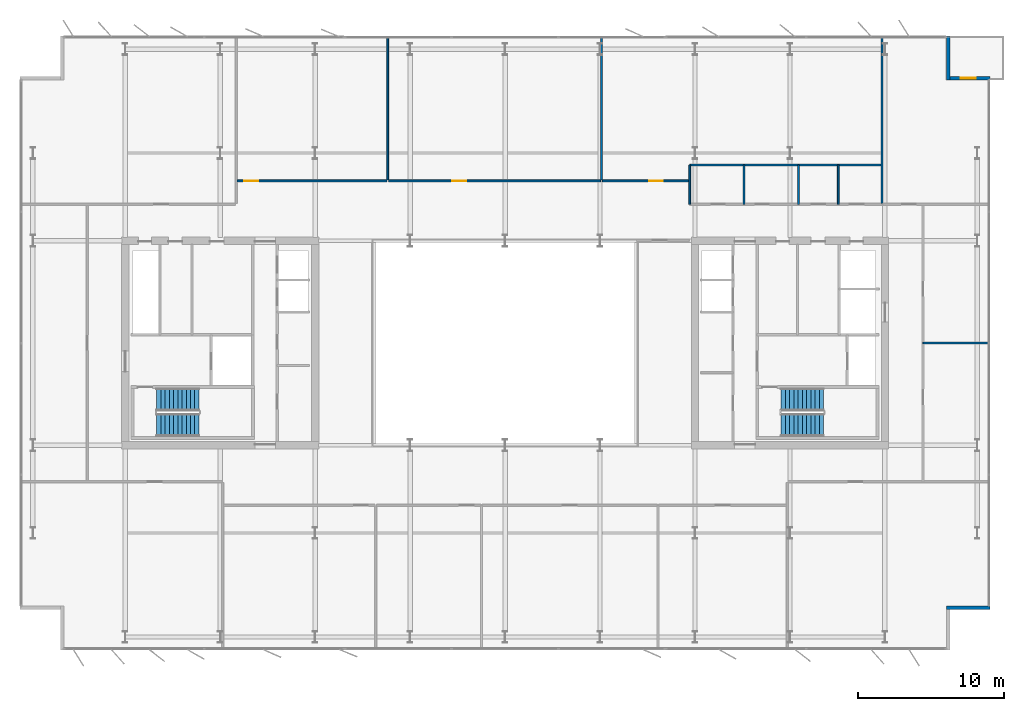
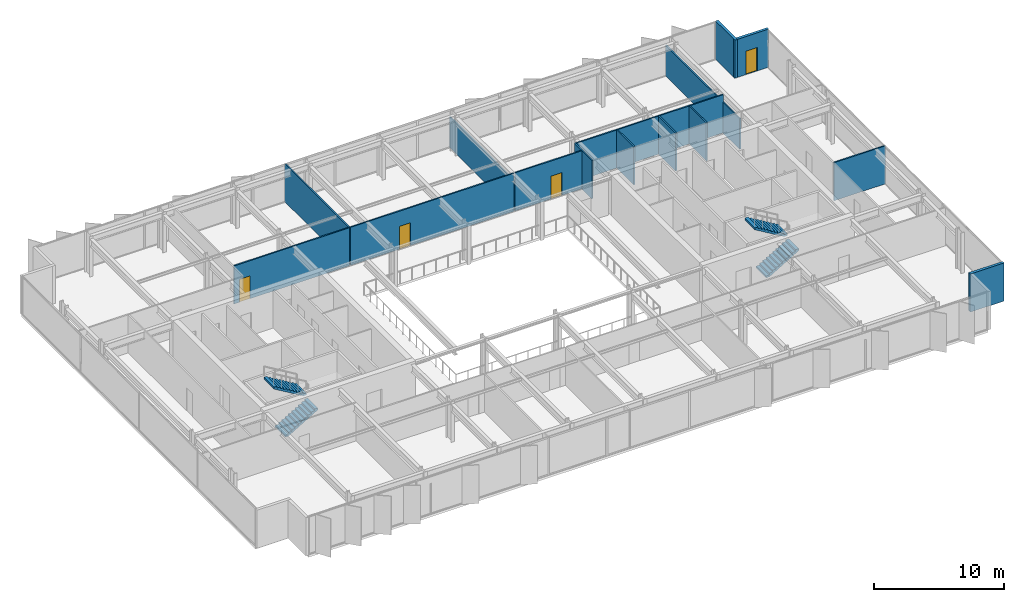
# One storey, part 19 of 23: 15 walls, 4 doors, 4 stair flights, 4 openings, 2 elements without a shape of their own.
"""IFC4 building model written with IfcOpenShell, lengths in metres."""

from ifc_helpers import new_model, si_unit, direction, frame, frame_2d, origin, place, context, subcontext, project, spatial, polyline, rectangle, outline, extrude, material, layer, layer_set, type_object, element, fill, aggregate, save


model = new_model("IFC4")

# Units and contexts
model_context = context("Model", 3, precision=1e-05, world=origin(), true_north=direction((0.0, 1.0)))
body_context = subcontext(model_context, "Body", "Model", "MODEL_VIEW")
ifc_project = project(units=[si_unit("LENGTHUNIT", "METRE"), si_unit("AREAUNIT", "SQUARE_METRE"), si_unit("VOLUMEUNIT", "CUBIC_METRE"), si_unit("PLANEANGLEUNIT", "RADIAN"), si_unit("MASSUNIT", "GRAM", prefix="KILO")], contexts=[model_context])

# Site, building, storey
site_placement = place(None, origin())
site = spatial("IfcSite", under=ifc_project, at=site_placement, CompositionType="ELEMENT")
building_placement = place(site_placement, origin())
building = spatial("IfcBuilding", under=site, at=building_placement, Name="Putna Gate Headquarters", CompositionType="ELEMENT")
storey_placement = place(building_placement, frame((0.0, 0.0, 206.199951171875)))
storey = spatial("IfcBuildingStorey", under=building, at=storey_placement, Name="L51", CompositionType="ELEMENT", Elevation=206.199951171875)

# Wall
ifc_material_1 = material(Name="Precast concrete C40/50", Category="concrete")
ifc_layer_1 = layer(ifc_material_1, 0.239990234375)
ifc_layer_set_1 = layer_set([ifc_layer_1], Name="Precast concrete C40/50")
wall_type_1 = type_object("IfcWallType", Name="WALL-EXT-TERR-240", PredefinedType="STANDARD", material=ifc_layer_set_1)
wall_1_placement = place(storey_placement, frame((69.320068359375, 47.0, 0.0), z_axis=(0.0, 0.0, 1.0), x_axis=(0.0, -1.0, 0.0)))
element("IfcWall", 1, at=wall_1_placement, inside=storey, type_object=wall_type_1, Name="L51 Corner Notch Return Wall NE-V", PredefinedType="STANDARD", context=body_context, shape_type="SweptSolid", body=[
    extrude(rectangle(XDim=3.0, YDim=0.239990234375, at=frame_2d((1.5, 0.0))), origin(), (0.0, 0.0, 1.0), 3.580078125),
])

# Wall, opening, door
wall_2_placement = place(storey_placement, frame((69.199951171875, 44.1201171875, 0.0), z_axis=(0.0, 0.0, 1.0), x_axis=(1.0, 0.0, 0.0)))
wall_2 = element("IfcWall", 2, at=wall_2_placement, inside=storey, type_object=wall_type_1, Name="L51 Corner Notch Return Wall NE-H", PredefinedType="STANDARD", context=body_context, shape_type="SweptSolid", body=[
    extrude(rectangle(XDim=3.0, YDim=0.239990234375, at=frame_2d((1.5, 0.0))), origin(), (0.0, 0.0, 1.0), 3.580078125),
])
opening_1_placement = place(wall_2_placement, frame((1.0, 0.0, 0.0)))
opening_1 = element("IfcOpeningElement", 3, at=opening_1_placement, cuts=wall_2, Name="Opening TRD-1", PredefinedType="OPENING", context=body_context, shape_type="SweptSolid", body=[
    extrude(rectangle(XDim=1.0, YDim=2.199951171875, at=frame_2d((0.5, 1.10009765625))), frame((0.0, 0.1298828125, 0.0), z_axis=(0.0, -1.0, 0.0), x_axis=(1.0, 0.0, 0.0)), (0.0, 0.0, 1.0), 0.260009765625),
])
ifc_material_2 = material(Name="Thermally broken bronze glazed terrace door")
door_type_1 = type_object("IfcDoorType", Name="DOOR-TERR-EXT-1000", OperationType="NOTDEFINED", PredefinedType="DOOR", material=ifc_material_2)
door_1_placement = place(opening_1_placement, origin())
door_1 = element("IfcDoor", 4, at=door_1_placement, inside=storey, type_object=door_type_1, Name="L51 Spiral Sky Terrace Door NE", OperationType="SINGLE_SWING_LEFT", OverallHeight=2.199951171875, OverallWidth=1.0, PredefinedType="DOOR", context=body_context, shape_type="SweptSolid", body=[
    extrude(rectangle(XDim=1.0, YDim=2.199951171875, at=frame_2d((0.5, 1.10009765625))), frame((0.0, 0.02490234375, 0.0), z_axis=(0.0, -1.0, 0.0), x_axis=(1.0, 0.0, 0.0)), (0.0, 0.0, 1.0), 0.050048828125),
])
fill(opening_1, door_1)

# Walls
wall_3_placement = place(storey_placement, frame((72.199951171875, 7.8798828125, 0.0), z_axis=(0.0, 0.0, 1.0), x_axis=(-1.0, 0.0, 0.0)))
element("IfcWall", 5, at=wall_3_placement, inside=storey, type_object=wall_type_1, Name="L51 Corner Notch Return Wall SE-H", PredefinedType="STANDARD", context=body_context, shape_type="SweptSolid", body=[
    extrude(rectangle(XDim=3.0, YDim=0.239990234375, at=frame_2d((1.5, 0.0))), origin(), (0.0, 0.0, 1.0), 3.580078125),
])
ifc_material_3 = material(Name="Acoustic gypsum board on metal stud")
ifc_layer_2 = layer(ifc_material_3, 0.1201171875)
ifc_layer_set_2 = layer_set([ifc_layer_2], Name="Acoustic gypsum board on metal stud")
wall_type_2 = type_object("IfcWallType", Name="WALL-PART-120", PredefinedType="PARTITIONING", material=ifc_layer_set_2)
wall_4_placement = place(storey_placement, frame((30.97119140625, 37.159912109375, 0.0), z_axis=(0.0, 0.0, 1.0), x_axis=(0.0, 1.0, 0.0)))
element("IfcWall", 6, at=wall_4_placement, inside=storey, type_object=wall_type_2, Name="L51 Interior Wall PART-L51-NB-DIV-02", PredefinedType="PARTITIONING", context=body_context, shape_type="SweptSolid", body=[
    extrude(rectangle(XDim=9.820068359375, YDim=0.1201171875, at=frame_2d((4.91015625, 0.0))), origin(), (0.0, 0.0, 1.0), 3.580078125),
])
wall_5_placement = place(storey_placement, frame((45.60009765625, 37.159912109375, 0.0), z_axis=(0.0, 0.0, 1.0), x_axis=(0.0, 1.0, 0.0)))
element("IfcWall", 7, at=wall_5_placement, inside=storey, type_object=wall_type_2, Name="L51 Interior Wall PART-L51-NB-DIV-03", PredefinedType="PARTITIONING", context=body_context, shape_type="SweptSolid", body=[
    extrude(rectangle(XDim=9.820068359375, YDim=0.1201171875, at=frame_2d((4.91015625, 0.0))), origin(), (0.0, 0.0, 1.0), 2.880126953125),
])
wall_6_placement = place(storey_placement, frame((64.800048828125, 35.56005859375, 0.0), z_axis=(0.0, 0.0, 1.0), x_axis=(0.0, 1.0, 0.0)))
element("IfcWall", 8, at=wall_6_placement, inside=storey, type_object=wall_type_2, Name="L51 Interior Wall PART-L51-NB-DIV-04", PredefinedType="PARTITIONING", context=body_context, shape_type="SweptSolid", body=[
    extrude(rectangle(XDim=11.419921875, YDim=0.1201171875, at=frame_2d((5.7099609375, 0.0))), origin(), (0.0, 0.0, 1.0), 2.880126953125),
])
wall_7_placement = place(storey_placement, frame((67.60009765625, 26.0, 0.0), z_axis=(0.0, 0.0, 1.0), x_axis=(1.0, 0.0, 0.0)))
element("IfcWall", 9, at=wall_7_placement, inside=storey, type_object=wall_type_2, Name="L51 Interior Wall PART-L51-EW-DIV-1", PredefinedType="PARTITIONING", context=body_context, shape_type="SweptSolid", body=[
    extrude(rectangle(XDim=4.579833984375, YDim=0.1201171875, at=frame_2d((2.2900390625, 0.0))), origin(), (0.0, 0.0, 1.0), 3.580078125),
])
ifc_material_4 = material(Name="Fire-rated gypsum board on metal stud")
ifc_layer_3 = layer(ifc_material_4, 0.1201171875)
ifc_layer_set_3 = layer_set([ifc_layer_3], Name="Fire-rated gypsum board on metal stud")
wall_type_3 = type_object("IfcWallType", Name="WALL-PART-120-RATED", PredefinedType="PARTITIONING", material=ifc_layer_set_3)
wall_8_placement = place(storey_placement, frame((51.639892578125, 38.179931640625, 0.0), z_axis=(0.0, 0.0, 1.0), x_axis=(1.0, 0.0, 0.0)))
element("IfcWall", 10, at=wall_8_placement, inside=storey, type_object=wall_type_3, Name="L51 Interior Wall PART-L51-SAN-BACK", PredefinedType="PARTITIONING", context=body_context, shape_type="SweptSolid", body=[
    extrude(rectangle(XDim=13.16015625, YDim=0.1201171875, at=frame_2d((6.580078125, 0.0))), origin(), (0.0, 0.0, 1.0), 3.580078125),
])
for number, where, z_axis, x_axis, name in (
    (11, (51.639892578125, 35.5, 0.0), (0.0, 0.0, 1.0), (0.0, 1.0, 0.0), "L51 Interior Wall PART-L51-SAN-DIV-1"),
    (12, (55.360107421875, 35.5, 0.0), (0.0, 0.0, 1.0), (0.0, 1.0, 0.0), "L51 Interior Wall PART-L51-SAN-DIV-2"),
    (13, (59.080078125, 35.5, 0.0), (0.0, 0.0, 1.0), (0.0, 1.0, 0.0), "L51 Interior Wall PART-L51-SAN-DIV-3"),
    (14, (61.800048828125, 35.5, 0.0), (0.0, 0.0, 1.0), (0.0, 1.0, 0.0), "L51 Interior Wall PART-L51-SAN-DIV-4"),
):
    element("IfcWall", number, at=place(storey_placement, frame(where, z_axis=z_axis, x_axis=x_axis)), inside=storey, type_object=wall_type_3, Name=name, PredefinedType="PARTITIONING", context=body_context, shape_type="SweptSolid", body=[
        extrude(rectangle(XDim=2.679931640625, YDim=0.1201171875, at=frame_2d((1.33984375, 0.0))), origin(), (0.0, 0.0, 1.0), 3.580078125),
    ])

# Wall, opening, door
wall_9_placement = place(storey_placement, frame((20.6689453125, 37.10009765625, 0.0), z_axis=(0.0, 0.0, 1.0), x_axis=(1.0, 0.0, 0.0)))
wall_9 = element("IfcWall", 15, at=wall_9_placement, inside=storey, type_object=wall_type_3, Name="L51 Interior Wall PART-L51-NB-CW-02", PredefinedType="PARTITIONING", context=body_context, shape_type="SweptSolid", body=[
    extrude(rectangle(XDim=10.2421875, YDim=0.1201171875, at=frame_2d((5.12109375, 0.0))), origin(), (0.0, 0.0, 1.0), 3.580078125),
])
opening_2_placement = place(wall_9_placement, frame((0.47998046875, 0.0, 0.0)))
opening_2 = element("IfcOpeningElement", 16, at=opening_2_placement, cuts=wall_9, Name="Opening FD-95", PredefinedType="OPENING", context=body_context, shape_type="SweptSolid", body=[
    extrude(rectangle(XDim=0.949951171875, YDim=2.14990234375, at=frame_2d((0.47509765625, 1.074951171875))), frame((0.0, 0.070068359375, 0.0), z_axis=(0.0, -1.0, 0.0), x_axis=(1.0, 0.0, 0.0)), (0.0, 0.0, 1.0), 0.14013671875),
])
ifc_material_5 = material(Name="Acoustic timber fire door", Category="wood")
door_type_2 = type_object("IfcDoorType", Name="DOOR-FIRE-950", OperationType="NOTDEFINED", PredefinedType="DOOR", material=ifc_material_5)
door_2_placement = place(opening_2_placement, origin())
door_2 = element("IfcDoor", 17, at=door_2_placement, inside=storey, type_object=door_type_2, Name="L51 Quiet Wellness Focus Studio 2 Door", OperationType="SINGLE_SWING_LEFT", OverallHeight=2.14990234375, OverallWidth=0.949951171875, PredefinedType="DOOR", context=body_context, shape_type="SweptSolid", body=[
    extrude(rectangle(XDim=0.949951171875, YDim=2.14990234375, at=frame_2d((0.47509765625, 1.074951171875))), frame((0.0, 0.02490234375, 0.0), z_axis=(0.0, -1.0, 0.0), x_axis=(1.0, 0.0, 0.0)), (0.0, 0.0, 1.0), 0.050048828125),
])
fill(opening_2, door_2)

wall_10_placement = place(storey_placement, frame((31.031005859375, 37.10009765625, 0.0), z_axis=(0.0, 0.0, 1.0), x_axis=(1.0, 0.0, 0.0)))
wall_10 = element("IfcWall", 18, at=wall_10_placement, inside=storey, type_object=wall_type_3, Name="L51 Interior Wall PART-L51-NB-CW-03", PredefinedType="PARTITIONING", context=body_context, shape_type="SweptSolid", body=[
    extrude(rectangle(XDim=14.509033203125, YDim=0.1201171875, at=frame_2d((7.25439453125, 0.0))), origin(), (0.0, 0.0, 1.0), 3.580078125),
])
opening_3_placement = place(wall_10_placement, frame((4.352783203125, 0.0, 0.0)))
opening_3 = element("IfcOpeningElement", 19, at=opening_3_placement, cuts=wall_10, Name="Opening FD-95", PredefinedType="OPENING", context=body_context, shape_type="SweptSolid", body=[
    extrude(rectangle(XDim=0.949951171875, YDim=2.14990234375, at=frame_2d((0.47509765625, 1.074951171875))), frame((0.0, 0.070068359375, 0.0), z_axis=(0.0, -1.0, 0.0), x_axis=(1.0, 0.0, 0.0)), (0.0, 0.0, 1.0), 0.14013671875),
])
door_3_placement = place(opening_3_placement, origin())
door_3 = element("IfcDoor", 20, at=door_3_placement, inside=storey, type_object=door_type_2, Name="L51 Cellular Office 1 Door", OperationType="SINGLE_SWING_RIGHT", OverallHeight=2.14990234375, OverallWidth=0.949951171875, PredefinedType="DOOR", context=body_context, shape_type="SweptSolid", body=[
    extrude(rectangle(XDim=0.949951171875, YDim=2.14990234375, at=frame_2d((0.47509765625, 1.074951171875))), frame((0.0, 0.02490234375, 0.0), z_axis=(0.0, -1.0, 0.0), x_axis=(1.0, 0.0, 0.0)), (0.0, 0.0, 1.0), 0.050048828125),
])
fill(opening_3, door_3)

wall_11_placement = place(storey_placement, frame((45.659912109375, 37.10009765625, 0.0), z_axis=(0.0, 0.0, 1.0), x_axis=(1.0, 0.0, 0.0)))
wall_11 = element("IfcWall", 21, at=wall_11_placement, inside=storey, type_object=wall_type_3, Name="L51 Interior Wall PART-L51-NB-CW-04", PredefinedType="PARTITIONING", context=body_context, shape_type="SweptSolid", body=[
    extrude(rectangle(XDim=5.920166015625, YDim=0.1201171875, at=frame_2d((2.9599609375, 0.0))), origin(), (0.0, 0.0, 1.0), 3.580078125),
])
opening_4_placement = place(wall_11_placement, frame((3.194091796875, 0.0, 0.0)))
opening_4 = element("IfcOpeningElement", 22, at=opening_4_placement, cuts=wall_11, Name="Opening FD-95", PredefinedType="OPENING", context=body_context, shape_type="SweptSolid", body=[
    extrude(rectangle(XDim=0.949951171875, YDim=2.14990234375, at=frame_2d((0.47509765625, 1.074951171875))), frame((0.0, 0.070068359375, 0.0), z_axis=(0.0, -1.0, 0.0), x_axis=(1.0, 0.0, 0.0)), (0.0, 0.0, 1.0), 0.14013671875),
])
door_4_placement = place(opening_4_placement, origin())
door_4 = element("IfcDoor", 23, at=door_4_placement, inside=storey, type_object=door_type_2, Name="L51 Primary Open Office Workplace Door", OperationType="SINGLE_SWING_LEFT", OverallHeight=2.14990234375, OverallWidth=0.949951171875, PredefinedType="DOOR", context=body_context, shape_type="SweptSolid", body=[
    extrude(rectangle(XDim=0.949951171875, YDim=2.14990234375, at=frame_2d((0.47509765625, 1.074951171875))), frame((0.0, 0.02490234375, 0.0), z_axis=(0.0, -1.0, 0.0), x_axis=(1.0, 0.0, 0.0)), (0.0, 0.0, 1.0), 0.050048828125),
])
fill(opening_4, door_4)

# Stair, stair flights
ifc_material_6 = material(Name="Concrete C40/50", Category="concrete")
stair_type_1 = type_object("IfcStairType", Name="STAIR-ST1", PredefinedType="HALF_TURN_STAIR", material=ifc_material_6)
stair_1_placement = place(storey_placement, origin())
stair_1 = element("IfcStair", 24, at=stair_1_placement, inside=storey, type_object=stair_type_1, Name="L51 West Core Exit Stair ST1", PredefinedType="HALF_TURN_STAIR")
stair_flight_type_1 = type_object("IfcStairFlightType", Name="FLIGHT-ST1", PredefinedType="STRAIGHT", material=ifc_material_6)
stair_flight_1_placement = place(storey_placement, frame((15.14990234375, 20.375, 0.0), z_axis=(0.0, 0.0, 1.0), x_axis=(1.0, 0.0, 0.0)))
stair_flight_1 = element("IfcStairFlight", 25, at=stair_flight_1_placement, type_object=stair_flight_type_1, Name="ST1 flight 1", NumberOfRisers=11, NumberOfTreads=10, PredefinedType="STRAIGHT", RiserHeight=0.172727273, TreadLength=0.29, context=body_context, shape_type="SweptSolid", body=[
    extrude(outline(polyline([(0.0, 0.0), (0.0, 0.172607421875), (0.2900390625, 0.172607421875), (0.2900390625, 0.345458984375), (0.580078125, 0.345458984375), (0.580078125, 0.51806640625), (0.8701171875, 0.51806640625), (0.8701171875, 0.69091796875), (1.159912109375, 0.69091796875), (1.159912109375, 0.863525390625), (1.449951171875, 0.863525390625), (1.449951171875, 1.036376953125), (1.739990234375, 1.036376953125), (1.739990234375, 1.208984375), (2.030029296875, 1.208984375), (2.030029296875, 1.3818359375), (2.320068359375, 1.3818359375), (2.320068359375, 1.554443359375), (2.610107421875, 1.554443359375), (2.610107421875, 1.727294921875), (2.89990234375, 1.727294921875), (2.89990234375, 1.89990234375), (2.89990234375, 1.552734375), (0.29296875, 0.0), (0.0, 0.0)])), frame((0.0, 0.77490234375, 0.0), z_axis=(0.0, -1.0, 0.0), x_axis=(1.0, 0.0, 0.0)), (0.0, 0.0, 1.0), 1.550048828125),
])
stair_flight_2_placement = place(storey_placement, frame((18.050048828125, 22.125, 1.900146484375), z_axis=(0.0, 0.0, 1.0), x_axis=(-1.0, 0.0, 0.0)))
stair_flight_2 = element("IfcStairFlight", 26, at=stair_flight_2_placement, type_object=stair_flight_type_1, Name="ST1 flight 2", NumberOfRisers=11, NumberOfTreads=10, PredefinedType="STRAIGHT", RiserHeight=0.172727273, TreadLength=0.29, context=body_context, shape_type="SweptSolid", body=[
    extrude(outline(polyline([(0.0, 0.0), (0.0, 0.172607421875), (0.2900390625, 0.172607421875), (0.2900390625, 0.345458984375), (0.580078125, 0.345458984375), (0.580078125, 0.51806640625), (0.8701171875, 0.51806640625), (0.8701171875, 0.69091796875), (1.159912109375, 0.69091796875), (1.159912109375, 0.863525390625), (1.449951171875, 0.863525390625), (1.449951171875, 1.036376953125), (1.739990234375, 1.036376953125), (1.739990234375, 1.208984375), (2.030029296875, 1.208984375), (2.030029296875, 1.3818359375), (2.320068359375, 1.3818359375), (2.320068359375, 1.554443359375), (2.610107421875, 1.554443359375), (2.610107421875, 1.727294921875), (2.89990234375, 1.727294921875), (2.89990234375, 1.89990234375), (2.89990234375, 1.552734375), (0.29296875, 0.0), (0.0, 0.0)])), frame((0.0, 0.77490234375, 0.0), z_axis=(0.0, -1.0, 0.0), x_axis=(1.0, 0.0, 0.0)), (0.0, 0.0, 1.0), 1.550048828125),
])
aggregate(stair_1, [stair_flight_1, stair_flight_2])

stair_type_2 = type_object("IfcStairType", Name="STAIR-ST2", PredefinedType="HALF_TURN_STAIR", material=ifc_material_6)
stair_2_placement = place(storey_placement, origin())
stair_2 = element("IfcStair", 27, at=stair_2_placement, inside=storey, type_object=stair_type_2, Name="L51 East Core Exit Stair ST2", PredefinedType="HALF_TURN_STAIR")
stair_flight_type_2 = type_object("IfcStairFlightType", Name="FLIGHT-ST2", PredefinedType="STRAIGHT", material=ifc_material_6)
stair_flight_3_placement = place(storey_placement, frame((57.89990234375, 20.375, 0.0), z_axis=(0.0, 0.0, 1.0), x_axis=(1.0, 0.0, 0.0)))
stair_flight_3 = element("IfcStairFlight", 28, at=stair_flight_3_placement, type_object=stair_flight_type_2, Name="ST2 flight 1", NumberOfRisers=11, NumberOfTreads=10, PredefinedType="STRAIGHT", RiserHeight=0.172727273, TreadLength=0.29, context=body_context, shape_type="SweptSolid", body=[
    extrude(outline(polyline([(0.0, 0.0), (0.0, 0.172607421875), (0.2900390625, 0.172607421875), (0.2900390625, 0.345458984375), (0.580078125, 0.345458984375), (0.580078125, 0.51806640625), (0.8701171875, 0.51806640625), (0.8701171875, 0.69091796875), (1.159912109375, 0.69091796875), (1.159912109375, 0.863525390625), (1.449951171875, 0.863525390625), (1.449951171875, 1.036376953125), (1.739990234375, 1.036376953125), (1.739990234375, 1.208984375), (2.030029296875, 1.208984375), (2.030029296875, 1.3818359375), (2.320068359375, 1.3818359375), (2.320068359375, 1.554443359375), (2.610107421875, 1.554443359375), (2.610107421875, 1.727294921875), (2.89990234375, 1.727294921875), (2.89990234375, 1.89990234375), (2.89990234375, 1.552734375), (0.29296875, 0.0), (0.0, 0.0)])), frame((0.0, 0.77490234375, 0.0), z_axis=(0.0, -1.0, 0.0), x_axis=(1.0, 0.0, 0.0)), (0.0, 0.0, 1.0), 1.550048828125),
])
stair_flight_4_placement = place(storey_placement, frame((60.800048828125, 22.125, 1.900146484375), z_axis=(0.0, 0.0, 1.0), x_axis=(-1.0, 0.0, 0.0)))
stair_flight_4 = element("IfcStairFlight", 29, at=stair_flight_4_placement, type_object=stair_flight_type_2, Name="ST2 flight 2", NumberOfRisers=11, NumberOfTreads=10, PredefinedType="STRAIGHT", RiserHeight=0.172727273, TreadLength=0.29, context=body_context, shape_type="SweptSolid", body=[
    extrude(outline(polyline([(0.0, 0.0), (0.0, 0.172607421875), (0.2900390625, 0.172607421875), (0.2900390625, 0.345458984375), (0.580078125, 0.345458984375), (0.580078125, 0.51806640625), (0.8701171875, 0.51806640625), (0.8701171875, 0.69091796875), (1.159912109375, 0.69091796875), (1.159912109375, 0.863525390625), (1.449951171875, 0.863525390625), (1.449951171875, 1.036376953125), (1.739990234375, 1.036376953125), (1.739990234375, 1.208984375), (2.030029296875, 1.208984375), (2.030029296875, 1.3818359375), (2.320068359375, 1.3818359375), (2.320068359375, 1.554443359375), (2.610107421875, 1.554443359375), (2.610107421875, 1.727294921875), (2.89990234375, 1.727294921875), (2.89990234375, 1.89990234375), (2.89990234375, 1.552734375), (0.29296875, 0.0), (0.0, 0.0)])), frame((0.0, 0.77490234375, 0.0), z_axis=(0.0, -1.0, 0.0), x_axis=(1.0, 0.0, 0.0)), (0.0, 0.0, 1.0), 1.550048828125),
])
aggregate(stair_2, [stair_flight_3, stair_flight_4])

save(model, "model.ifc")
